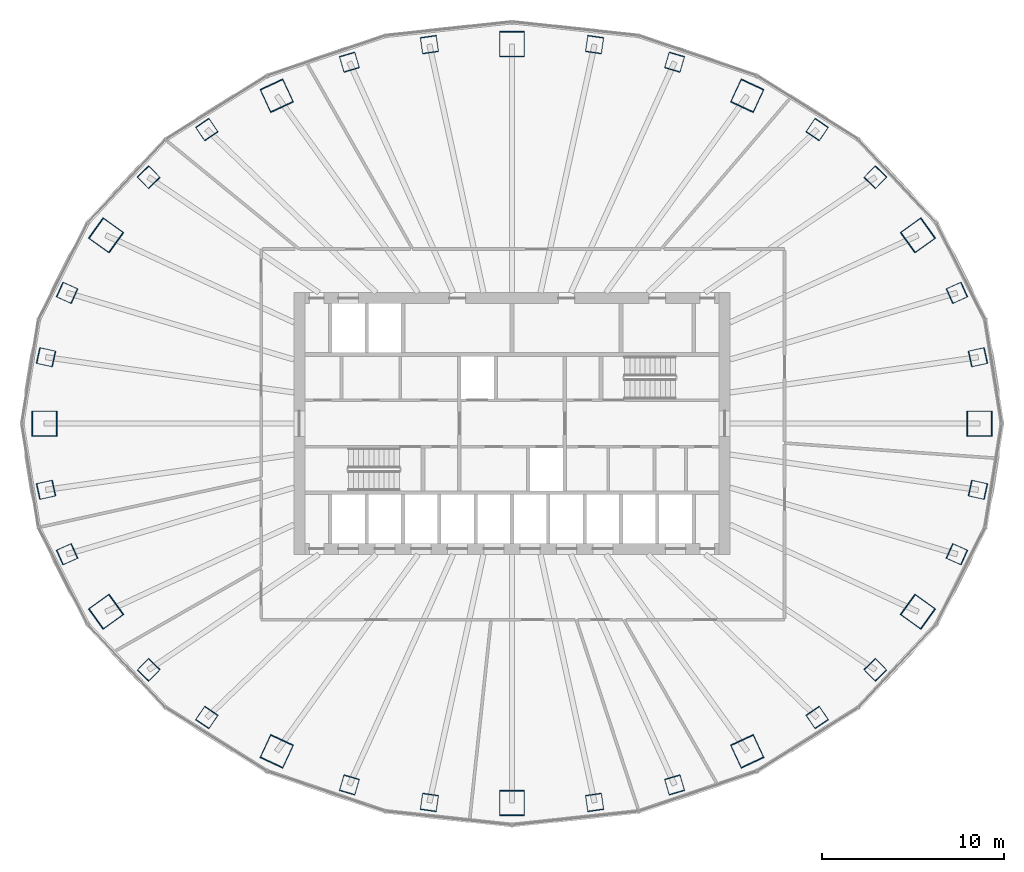
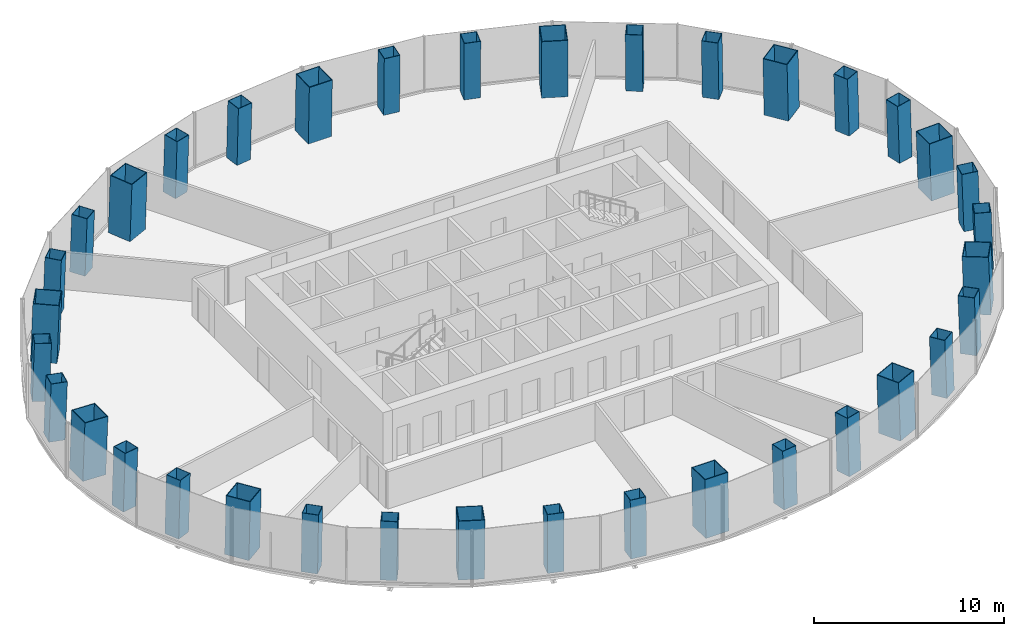
# One storey, part 1 of 11: 36 columns.
"""IFC4 building model written with IfcOpenShell, lengths in metres."""

from ifc_helpers import new_model, si_unit, direction, frame, origin, origin_2d, place, context, subcontext, project, spatial, hollow_rectangle, extrude, material, material_profile, profile_set, type_object, element, save


model = new_model("IFC4")

# Units and contexts
model_context = context("Model", 3, precision=1e-05, world=origin(), true_north=direction((0.0, 1.0)))
body_context = subcontext(model_context, "Body", "Model", "MODEL_VIEW")
ifc_project = project(units=[si_unit("LENGTHUNIT", "METRE"), si_unit("AREAUNIT", "SQUARE_METRE"), si_unit("VOLUMEUNIT", "CUBIC_METRE"), si_unit("PLANEANGLEUNIT", "RADIAN"), si_unit("MASSUNIT", "GRAM", prefix="KILO")], contexts=[model_context])

# Site, building, storey
site_placement = place(None, origin())
site = spatial("IfcSite", under=ifc_project, at=site_placement, CompositionType="ELEMENT")
building_placement = place(site_placement, origin())
building = spatial("IfcBuilding", under=site, at=building_placement, Name="Siaravel Broadcast Tower", CompositionType="ELEMENT")
storey_placement = place(building_placement, frame((0.0, 0.0, 77.800048828125)))
storey = spatial("IfcBuildingStorey", under=building, at=storey_placement, Name="L18", CompositionType="ELEMENT", Elevation=77.800048828125)

# Columns
ifc_material = material(Name="Concrete C70/85", Category="concrete")
ifc_material_profile_1 = material_profile(ifc_material, hollow_rectangle(XDim=1.39990234375, YDim=1.39990234375, WallThickness=0.0400390625, at=origin_2d()))
ifc_profile_set_1 = profile_set([ifc_material_profile_1], Name="Concrete C70/85")
column_type_1 = type_object("IfcColumnType", Name="COL-CFT BOX 1400x1400x40", PredefinedType="COLUMN", material=ifc_profile_set_1)
column_1_placement = place(storey_placement, frame((25.74951171875, 0.0, 0.0), z_axis=(-0.034555398, 0.0, 0.999402784), x_axis=(0.0, -1.0, 0.0)))
element("IfcColumn", 1, at=column_1_placement, inside=storey, type_object=column_type_1, Name="Megacolumn MC01", PredefinedType="COLUMN", context=body_context, shape_type="SweptSolid", body=[
    extrude(hollow_rectangle(XDim=1.39990234375, YDim=1.39990234375, WallThickness=0.0400390625, at=origin_2d()), origin(), (0.0, 0.0, 1.0), 3.7021484375),
])
column_2_placement = place(storey_placement, frame((22.353271484375, 10.36279296875, 0.0), z_axis=(-0.029940667, -0.01417895, 0.999451106), x_axis=(0.582697478, -0.812667535, 0.005926832)))
element("IfcColumn", 2, at=column_2_placement, inside=storey, type_object=column_type_1, Name="Megacolumn MC02", PredefinedType="COLUMN", context=body_context, shape_type="SweptSolid", body=[
    extrude(hollow_rectangle(XDim=1.39990234375, YDim=1.39990234375, WallThickness=0.0400390625, at=origin_2d()), origin(), (0.0, 0.0, 1.0), 3.701904296875),
])
column_3_placement = place(storey_placement, frame((12.95458984375, 18.052001953125, 0.0), z_axis=(-0.017346173, -0.024535271, 0.999548463), x_axis=(0.906953804, -0.421195479, 0.005400471)))
element("IfcColumn", 3, at=column_3_placement, inside=storey, type_object=column_type_1, Name="Megacolumn MC03", PredefinedType="COLUMN", context=body_context, shape_type="SweptSolid", body=[
    extrude(hollow_rectangle(XDim=1.39990234375, YDim=1.39990234375, WallThickness=0.0400390625, at=origin_2d()), origin(), (0.0, 0.0, 1.0), 3.70166015625),
])
column_4_placement = place(storey_placement, frame((0.0, 20.892822265625, 0.0), z_axis=(0.0, -0.02836206, 0.999597716), x_axis=(1.0, 0.0, 0.0)))
element("IfcColumn", 4, at=column_4_placement, inside=storey, type_object=column_type_1, Name="Megacolumn MC04", PredefinedType="COLUMN", context=body_context, shape_type="SweptSolid", body=[
    extrude(hollow_rectangle(XDim=1.39990234375, YDim=1.39990234375, WallThickness=0.0400390625, at=origin_2d()), origin(), (0.0, 0.0, 1.0), 3.701416015625),
])
column_5_placement = place(storey_placement, frame((-12.95458984375, 18.052001953125, 0.0), z_axis=(0.017346173, -0.024535271, 0.999548463), x_axis=(0.906953804, 0.421195479, -0.005400471)))
element("IfcColumn", 5, at=column_5_placement, inside=storey, type_object=column_type_1, Name="Megacolumn MC05", PredefinedType="COLUMN", context=body_context, shape_type="SweptSolid", body=[
    extrude(hollow_rectangle(XDim=1.39990234375, YDim=1.39990234375, WallThickness=0.0400390625, at=origin_2d()), origin(), (0.0, 0.0, 1.0), 3.70166015625),
])
column_6_placement = place(storey_placement, frame((-22.353271484375, 10.36279296875, 0.0), z_axis=(0.029940667, -0.01417895, 0.999451106), x_axis=(0.582697478, 0.812667535, -0.005926832)))
element("IfcColumn", 6, at=column_6_placement, inside=storey, type_object=column_type_1, Name="Megacolumn MC06", PredefinedType="COLUMN", context=body_context, shape_type="SweptSolid", body=[
    extrude(hollow_rectangle(XDim=1.39990234375, YDim=1.39990234375, WallThickness=0.0400390625, at=origin_2d()), origin(), (0.0, 0.0, 1.0), 3.701904296875),
])
column_7_placement = place(storey_placement, frame((-25.74951171875, 0.0, 0.0), z_axis=(0.034555398, 0.0, 0.999402784), x_axis=(0.0, 1.0, 0.0)))
element("IfcColumn", 7, at=column_7_placement, inside=storey, type_object=column_type_1, Name="Megacolumn MC07", PredefinedType="COLUMN", context=body_context, shape_type="SweptSolid", body=[
    extrude(hollow_rectangle(XDim=1.39990234375, YDim=1.39990234375, WallThickness=0.0400390625, at=origin_2d()), origin(), (0.0, 0.0, 1.0), 3.7021484375),
])
column_8_placement = place(storey_placement, frame((-22.353271484375, -10.36279296875, 0.0), z_axis=(0.029940667, 0.01417895, 0.999451106), x_axis=(-0.582697478, 0.812667535, 0.005926832)))
element("IfcColumn", 8, at=column_8_placement, inside=storey, type_object=column_type_1, Name="Megacolumn MC08", PredefinedType="COLUMN", context=body_context, shape_type="SweptSolid", body=[
    extrude(hollow_rectangle(XDim=1.39990234375, YDim=1.39990234375, WallThickness=0.0400390625, at=origin_2d()), origin(), (0.0, 0.0, 1.0), 3.701904296875),
])
column_9_placement = place(storey_placement, frame((-12.95458984375, -18.052001953125, 0.0), z_axis=(0.017346173, 0.024535271, 0.999548463), x_axis=(-0.906953804, 0.421195479, 0.005400471)))
element("IfcColumn", 9, at=column_9_placement, inside=storey, type_object=column_type_1, Name="Megacolumn MC09", PredefinedType="COLUMN", context=body_context, shape_type="SweptSolid", body=[
    extrude(hollow_rectangle(XDim=1.39990234375, YDim=1.39990234375, WallThickness=0.0400390625, at=origin_2d()), origin(), (0.0, 0.0, 1.0), 3.70166015625),
])
column_10_placement = place(storey_placement, frame((0.0, -20.892822265625, 0.0), z_axis=(0.0, 0.02836206, 0.999597716), x_axis=(-1.0, 0.0, 0.0)))
element("IfcColumn", 10, at=column_10_placement, inside=storey, type_object=column_type_1, Name="Megacolumn MC10", PredefinedType="COLUMN", context=body_context, shape_type="SweptSolid", body=[
    extrude(hollow_rectangle(XDim=1.39990234375, YDim=1.39990234375, WallThickness=0.0400390625, at=origin_2d()), origin(), (0.0, 0.0, 1.0), 3.701416015625),
])
column_11_placement = place(storey_placement, frame((12.95458984375, -18.052001953125, 0.0), z_axis=(-0.017346173, 0.024535271, 0.999548463), x_axis=(-0.906953804, -0.421195479, -0.005400471)))
element("IfcColumn", 11, at=column_11_placement, inside=storey, type_object=column_type_1, Name="Megacolumn MC11", PredefinedType="COLUMN", context=body_context, shape_type="SweptSolid", body=[
    extrude(hollow_rectangle(XDim=1.39990234375, YDim=1.39990234375, WallThickness=0.0400390625, at=origin_2d()), origin(), (0.0, 0.0, 1.0), 3.70166015625),
])
column_12_placement = place(storey_placement, frame((22.353271484375, -10.36279296875, 0.0), z_axis=(-0.029940667, 0.01417895, 0.999451106), x_axis=(-0.582697478, -0.812667535, -0.005926832)))
element("IfcColumn", 12, at=column_12_placement, inside=storey, type_object=column_type_1, Name="Megacolumn MC12", PredefinedType="COLUMN", context=body_context, shape_type="SweptSolid", body=[
    extrude(hollow_rectangle(XDim=1.39990234375, YDim=1.39990234375, WallThickness=0.0400390625, at=origin_2d()), origin(), (0.0, 0.0, 1.0), 3.701904296875),
])
ifc_material_profile_2 = material_profile(ifc_material, hollow_rectangle(XDim=0.89990234375, YDim=0.89990234375, WallThickness=0.02490234375, at=origin_2d()))
ifc_profile_set_2 = profile_set([ifc_material_profile_2], Name="Concrete C70/85")
column_type_2 = type_object("IfcColumnType", Name="COL-CFT BOX 900x900x25", PredefinedType="COLUMN", material=ifc_profile_set_2)
for number, where, z_axis, x_axis, name in (
    (13, (25.65966796875, 3.650634765625, 0.0), (-0.034093903, -0.004945924, 0.999406396), (0.213077323, -0.977032308, 0.002433755), "Perimeter column C01"),
    (14, (24.499267578125, 7.197021484375, 0.0), (-0.032511812, -0.009628245, 0.999424974), (0.407993926, -0.912973666, 0.004476862), "Perimeter column C02"),
):
    element("IfcColumn", number, at=place(storey_placement, frame(where, z_axis=z_axis, x_axis=x_axis)), inside=storey, type_object=column_type_2, Name=name, PredefinedType="COLUMN", context=body_context, shape_type="SweptSolid", body=[
        extrude(hollow_rectangle(XDim=0.89990234375, YDim=0.89990234375, WallThickness=0.02490234375, at=origin_2d()), origin(), (0.0, 0.0, 1.0), 3.7021484375),
    ])
column_13_placement = place(storey_placement, frame((20.009033203125, 13.564208984375, 0.0), z_axis=(-0.026512179, -0.018202391, 0.999482755), x_axis=(0.719608469, -0.694350158, 0.006442888)))
element("IfcColumn", 15, at=column_13_placement, inside=storey, type_object=column_type_2, Name="Perimeter column C03", PredefinedType="COLUMN", context=body_context, shape_type="SweptSolid", body=[
    extrude(hollow_rectangle(XDim=0.89990234375, YDim=0.89990234375, WallThickness=0.02490234375, at=origin_2d()), origin(), (0.0, 0.0, 1.0), 3.701904296875),
])
column_14_placement = place(storey_placement, frame((16.805419921875, 16.188232421875, 0.0), z_axis=(-0.022226156, -0.021698532, 0.999517469), x_axis=(0.827812912, -0.560969671, 0.006229886)))
element("IfcColumn", 16, at=column_14_placement, inside=storey, type_object=column_type_2, Name="Perimeter column C04", PredefinedType="COLUMN", context=body_context, shape_type="SweptSolid", body=[
    extrude(hollow_rectangle(XDim=0.89990234375, YDim=0.89990234375, WallThickness=0.02490234375, at=origin_2d()), origin(), (0.0, 0.0, 1.0), 3.70166015625),
])
for number, where, z_axis, x_axis, name in (
    (17, (8.95458984375, 19.89990234375, 0.0), (-0.011872213, -0.026646524, 0.999574416), (0.959344674, -0.282210576, 0.003871262), "Perimeter column C05"),
    (18, (4.548095703125, 20.866943359375, 0.0), (-0.006002173, -0.027900212, 0.999592693), (0.990105901, -0.140307476, 0.002029005), "Perimeter column C06"),
    (19, (-4.548095703125, 20.866943359375, 0.0), (0.006002173, -0.027900212, 0.999592693), (0.990105901, 0.140307476, -0.002029005), "Perimeter column C07"),
    (20, (-8.95458984375, 19.89990234375, 0.0), (0.011872213, -0.026646524, 0.999574416), (0.959344674, 0.282210576, -0.003871262), "Perimeter column C08"),
):
    element("IfcColumn", number, at=place(storey_placement, frame(where, z_axis=z_axis, x_axis=x_axis)), inside=storey, type_object=column_type_2, Name=name, PredefinedType="COLUMN", context=body_context, shape_type="SweptSolid", body=[
        extrude(hollow_rectangle(XDim=0.89990234375, YDim=0.89990234375, WallThickness=0.02490234375, at=origin_2d()), origin(), (0.0, 0.0, 1.0), 3.701416015625),
    ])
column_15_placement = place(storey_placement, frame((-16.805419921875, 16.188232421875, 0.0), z_axis=(0.022226156, -0.021698532, 0.999517469), x_axis=(0.827812912, 0.560969671, -0.006229886)))
element("IfcColumn", 21, at=column_15_placement, inside=storey, type_object=column_type_2, Name="Perimeter column C09", PredefinedType="COLUMN", context=body_context, shape_type="SweptSolid", body=[
    extrude(hollow_rectangle(XDim=0.89990234375, YDim=0.89990234375, WallThickness=0.02490234375, at=origin_2d()), origin(), (0.0, 0.0, 1.0), 3.70166015625),
])
column_16_placement = place(storey_placement, frame((-20.009033203125, 13.564208984375, 0.0), z_axis=(0.026512179, -0.018202391, 0.999482755), x_axis=(0.719608469, 0.694350158, -0.006442888)))
element("IfcColumn", 22, at=column_16_placement, inside=storey, type_object=column_type_2, Name="Perimeter column C10", PredefinedType="COLUMN", context=body_context, shape_type="SweptSolid", body=[
    extrude(hollow_rectangle(XDim=0.89990234375, YDim=0.89990234375, WallThickness=0.02490234375, at=origin_2d()), origin(), (0.0, 0.0, 1.0), 3.701904296875),
])
for number, where, z_axis, x_axis, name in (
    (23, (-24.499267578125, 7.197021484375, 0.0), (0.032511812, -0.009628245, 0.999424974), (0.407993926, 0.912973666, -0.004476862), "Perimeter column C11"),
    (24, (-25.65966796875, 3.650634765625, 0.0), (0.034093903, -0.004945924, 0.999406396), (0.213077323, 0.977032308, -0.002433755), "Perimeter column C12"),
    (25, (-25.65966796875, -3.650634765625, 0.0), (0.034093903, 0.004945924, 0.999406396), (-0.213077323, 0.977032308, 0.002433755), "Perimeter column C13"),
    (26, (-24.499267578125, -7.197021484375, 0.0), (0.032511812, 0.009628245, 0.999424974), (-0.407993926, 0.912973666, 0.004476862), "Perimeter column C14"),
):
    element("IfcColumn", number, at=place(storey_placement, frame(where, z_axis=z_axis, x_axis=x_axis)), inside=storey, type_object=column_type_2, Name=name, PredefinedType="COLUMN", context=body_context, shape_type="SweptSolid", body=[
        extrude(hollow_rectangle(XDim=0.89990234375, YDim=0.89990234375, WallThickness=0.02490234375, at=origin_2d()), origin(), (0.0, 0.0, 1.0), 3.7021484375),
    ])
column_17_placement = place(storey_placement, frame((-20.009033203125, -13.564208984375, 0.0), z_axis=(0.026512179, 0.018202391, 0.999482755), x_axis=(-0.719608469, 0.694350158, 0.006442888)))
element("IfcColumn", 27, at=column_17_placement, inside=storey, type_object=column_type_2, Name="Perimeter column C15", PredefinedType="COLUMN", context=body_context, shape_type="SweptSolid", body=[
    extrude(hollow_rectangle(XDim=0.89990234375, YDim=0.89990234375, WallThickness=0.02490234375, at=origin_2d()), origin(), (0.0, 0.0, 1.0), 3.701904296875),
])
column_18_placement = place(storey_placement, frame((-16.805419921875, -16.188232421875, 0.0), z_axis=(0.022226156, 0.021698532, 0.999517469), x_axis=(-0.827812912, 0.560969671, 0.006229886)))
element("IfcColumn", 28, at=column_18_placement, inside=storey, type_object=column_type_2, Name="Perimeter column C16", PredefinedType="COLUMN", context=body_context, shape_type="SweptSolid", body=[
    extrude(hollow_rectangle(XDim=0.89990234375, YDim=0.89990234375, WallThickness=0.02490234375, at=origin_2d()), origin(), (0.0, 0.0, 1.0), 3.70166015625),
])
for number, where, z_axis, x_axis, name in (
    (29, (-8.95458984375, -19.89990234375, 0.0), (0.011872213, 0.026646524, 0.999574416), (-0.959344674, 0.282210576, 0.003871262), "Perimeter column C17"),
    (30, (-4.548095703125, -20.866943359375, 0.0), (0.006002173, 0.027900212, 0.999592693), (-0.990105901, 0.140307476, 0.002029005), "Perimeter column C18"),
    (31, (4.548095703125, -20.866943359375, 0.0), (-0.006002173, 0.027900212, 0.999592693), (-0.990105901, -0.140307476, -0.002029005), "Perimeter column C19"),
    (32, (8.95458984375, -19.89990234375, 0.0), (-0.011872213, 0.026646524, 0.999574416), (-0.959344674, -0.282210576, -0.003871262), "Perimeter column C20"),
):
    element("IfcColumn", number, at=place(storey_placement, frame(where, z_axis=z_axis, x_axis=x_axis)), inside=storey, type_object=column_type_2, Name=name, PredefinedType="COLUMN", context=body_context, shape_type="SweptSolid", body=[
        extrude(hollow_rectangle(XDim=0.89990234375, YDim=0.89990234375, WallThickness=0.02490234375, at=origin_2d()), origin(), (0.0, 0.0, 1.0), 3.701416015625),
    ])
column_19_placement = place(storey_placement, frame((16.805419921875, -16.188232421875, 0.0), z_axis=(-0.022226156, 0.021698532, 0.999517469), x_axis=(-0.827812912, -0.560969671, -0.006229886)))
element("IfcColumn", 33, at=column_19_placement, inside=storey, type_object=column_type_2, Name="Perimeter column C21", PredefinedType="COLUMN", context=body_context, shape_type="SweptSolid", body=[
    extrude(hollow_rectangle(XDim=0.89990234375, YDim=0.89990234375, WallThickness=0.02490234375, at=origin_2d()), origin(), (0.0, 0.0, 1.0), 3.70166015625),
])
column_20_placement = place(storey_placement, frame((20.009033203125, -13.564208984375, 0.0), z_axis=(-0.026512179, 0.018202391, 0.999482755), x_axis=(-0.719608469, -0.694350158, -0.006442888)))
element("IfcColumn", 34, at=column_20_placement, inside=storey, type_object=column_type_2, Name="Perimeter column C22", PredefinedType="COLUMN", context=body_context, shape_type="SweptSolid", body=[
    extrude(hollow_rectangle(XDim=0.89990234375, YDim=0.89990234375, WallThickness=0.02490234375, at=origin_2d()), origin(), (0.0, 0.0, 1.0), 3.701904296875),
])
for number, where, z_axis, x_axis, name in (
    (35, (24.499267578125, -7.197021484375, 0.0), (-0.032511812, 0.009628245, 0.999424974), (-0.407993926, -0.912973666, -0.004476862), "Perimeter column C23"),
    (36, (25.65966796875, -3.650634765625, 0.0), (-0.034093903, 0.004945924, 0.999406396), (-0.213077323, -0.977032308, -0.002433755), "Perimeter column C24"),
):
    element("IfcColumn", number, at=place(storey_placement, frame(where, z_axis=z_axis, x_axis=x_axis)), inside=storey, type_object=column_type_2, Name=name, PredefinedType="COLUMN", context=body_context, shape_type="SweptSolid", body=[
        extrude(hollow_rectangle(XDim=0.89990234375, YDim=0.89990234375, WallThickness=0.02490234375, at=origin_2d()), origin(), (0.0, 0.0, 1.0), 3.7021484375),
    ])

save(model, "model.ifc")
